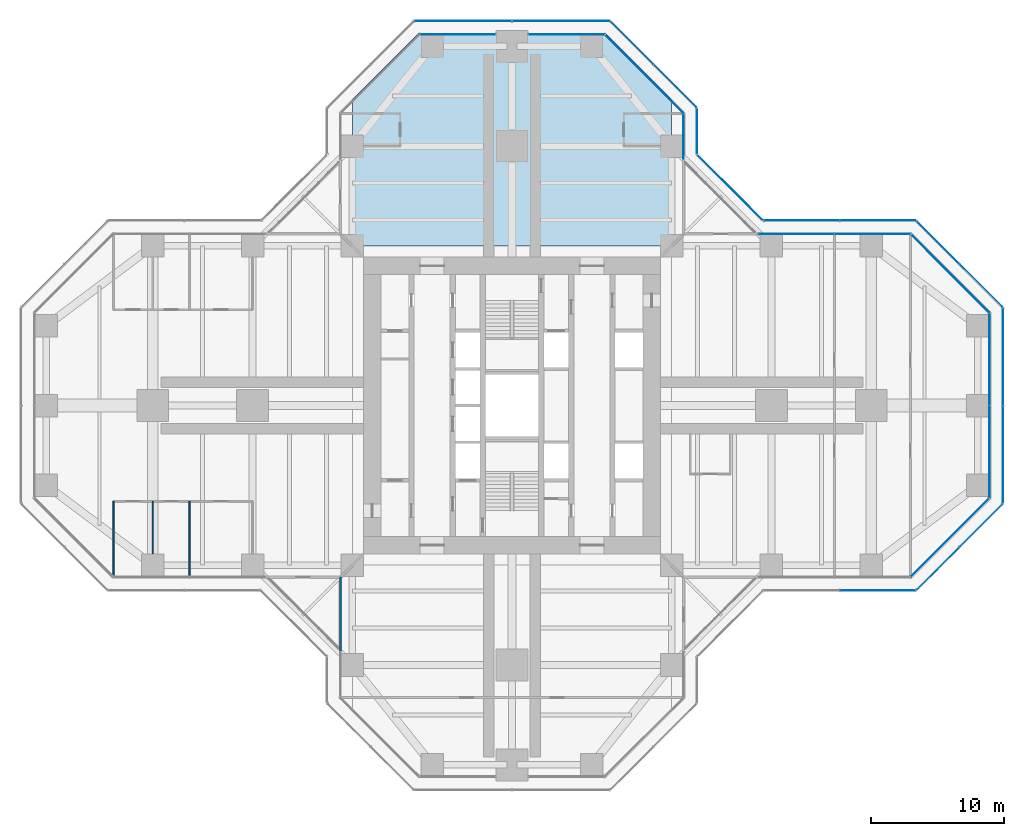
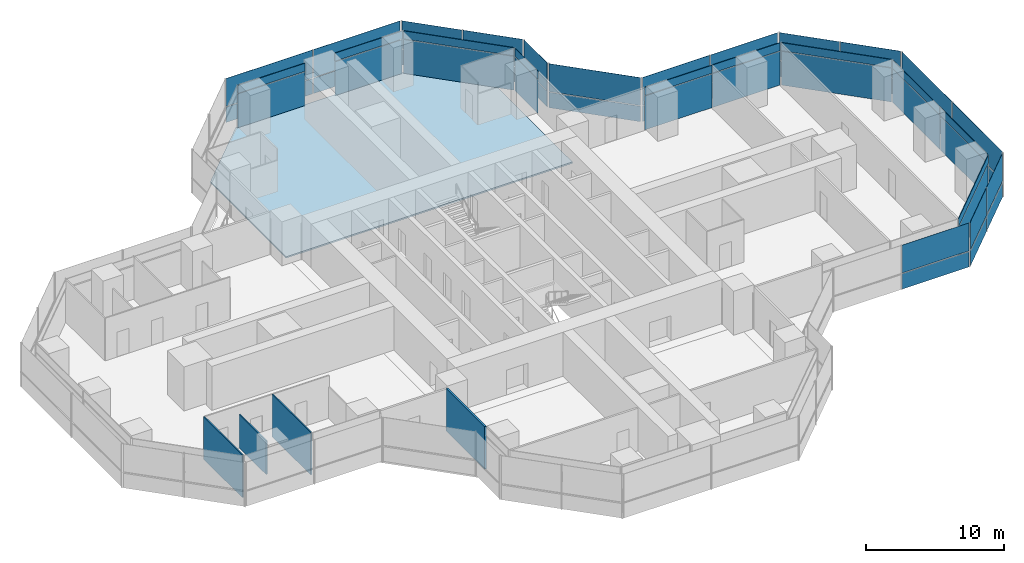
# One storey, part 14 of 20: 50 plates, 4 walls, 1 slab, 17 elements without a shape of their own.
"""IFC4 building model written with IfcOpenShell, lengths in metres."""

from ifc_helpers import new_model, si_unit, direction, frame, frame_2d, origin, origin_2d, place, context, subcontext, project, spatial, polyline, rectangle, outline, extrude, material, layer, layer_set, type_object, element, aggregate, save


model = new_model("IFC4")

# Units and contexts
model_context = context("Model", 3, precision=1e-05, world=origin(), true_north=direction((0.0, 1.0)))
body_context = subcontext(model_context, "Body", "Model", "MODEL_VIEW")
ifc_project = project(units=[si_unit("LENGTHUNIT", "METRE"), si_unit("AREAUNIT", "SQUARE_METRE"), si_unit("VOLUMEUNIT", "CUBIC_METRE"), si_unit("PLANEANGLEUNIT", "RADIAN"), si_unit("MASSUNIT", "GRAM", prefix="KILO")], contexts=[model_context])

# Site, building, storey
site_placement = place(None, origin())
site = spatial("IfcSite", under=ifc_project, at=site_placement, CompositionType="ELEMENT")
building_placement = place(site_placement, origin())
building = spatial("IfcBuilding", under=site, at=building_placement, Name="Mizan Broadcast Tower", CompositionType="ELEMENT")
storey_placement = place(building_placement, frame((0.0, 0.0, 171.0)))
storey = spatial("IfcBuildingStorey", under=building, at=storey_placement, Name="L39", CompositionType="ELEMENT", Elevation=171.0)

# Slab
ifc_material_1 = material(Name="Concrete C32/40", Category="concrete")
ifc_layer_1 = layer(ifc_material_1, 0.1298828125)
ifc_layer_set_1 = layer_set([ifc_layer_1], Name="Concrete C32/40")
slab_type = type_object("IfcSlabType", Name="COMPOSITE DECK SLAB 130", PredefinedType="FLOOR", material=ifc_layer_set_1)
slab_placement = place(storey_placement, frame((0.0, 0.0, -0.1298828125)))
element("IfcSlab", 1, at=slab_placement, inside=storey, type_object=slab_type, Name="Floor slab L39 north arm", PredefinedType="FLOOR", context=body_context, shape_type="SweptSolid", body=[
    extrude(outline(polyline([(-7.0, 28.0), (-12.0, 23.0), (-12.0, 12.0), (12.0, 12.0), (12.0, 23.0), (7.0, 28.0), (-7.0, 28.0)])), origin(), (0.0, 0.0, 1.0), 0.1298828125),
])

# Curtain wall, plate
ifc_material_2 = material(Name="Aluminium framed glazing", Category="aluminium")
curtain_wall_type_1 = type_object("IfcCurtainWallType", Name="INNER SKIN MID ZONE", PredefinedType="USERDEFINED", material=ifc_material_2)
curtain_wall_1_placement = place(storey_placement, origin())
curtain_wall_1 = element("IfcCurtainWall", 2, at=curtain_wall_1_placement, inside=storey, type_object=curtain_wall_type_1, Name="Inner skin mid zone L39 E chamfer", ObjectType="INNER SKIN MID ZONE", PredefinedType="USERDEFINED")
ifc_material_3 = material(Name="Double glazing, clear low-e", Category="glass")
ifc_layer_2 = layer(ifc_material_3, 0.028076171875)
ifc_layer_set_2 = layer_set([ifc_layer_2], Name="Double glazing, clear low-e")
plate_type_1 = type_object("IfcPlateType", Name="INNER SKIN GLAZING UNIT", PredefinedType="CURTAIN_PANEL", material=ifc_layer_set_2)
plate_1_placement = place(storey_placement, frame((32.92919921875, -9.92919921875, 0.0), z_axis=(0.0, 0.0, 1.0), x_axis=(0.707106781187, 0.707106781187, 0.0)))
plate_1 = element("IfcPlate", 3, at=plate_1_placement, type_object=plate_type_1, Name="Inner skin mid zone L39 E chamfer panel 1.1", PredefinedType="CURTAIN_PANEL", context=body_context, shape_type="SweptSolid", body=[
    extrude(rectangle(XDim=8.282470703125, YDim=0.028076171875, at=origin_2d()), origin(), (0.0, 0.0, 1.0), 3.0),
])

# Curtain wall, plates
curtain_wall_2_placement = place(storey_placement, origin())
curtain_wall_2 = element("IfcCurtainWall", 4, at=curtain_wall_2_placement, inside=storey, type_object=curtain_wall_type_1, Name="Inner skin mid zone L39 E end", ObjectType="INNER SKIN MID ZONE", PredefinedType="USERDEFINED")
plate_2_placement = place(storey_placement, frame((35.89990234375, -3.46435546875, 0.0), z_axis=(0.0, 0.0, 1.0), x_axis=(0.0, 1.0, 0.0)))
plate_2 = element("IfcPlate", 5, at=plate_2_placement, type_object=plate_type_1, Name="Inner skin mid zone L39 E end panel 1.1", PredefinedType="CURTAIN_PANEL", context=body_context, shape_type="SweptSolid", body=[
    extrude(rectangle(XDim=6.86865234375, YDim=0.028076171875, at=origin_2d()), origin(), (0.0, 0.0, 1.0), 3.0),
])
plate_3_placement = place(storey_placement, frame((35.89990234375, 3.46435546875, 0.0), z_axis=(0.0, 0.0, 1.0), x_axis=(0.0, 1.0, 0.0)))
plate_3 = element("IfcPlate", 6, at=plate_3_placement, type_object=plate_type_1, Name="Inner skin mid zone L39 E end panel 2.1", PredefinedType="CURTAIN_PANEL", context=body_context, shape_type="SweptSolid", body=[
    extrude(rectangle(XDim=6.86865234375, YDim=0.028076171875, at=origin_2d()), origin(), (0.0, 0.0, 1.0), 3.0),
])

# Curtain wall, plate
curtain_wall_3_placement = place(storey_placement, origin())
curtain_wall_3 = element("IfcCurtainWall", 7, at=curtain_wall_3_placement, inside=storey, type_object=curtain_wall_type_1, Name="Inner skin mid zone L39 E chamfer", ObjectType="INNER SKIN MID ZONE", PredefinedType="USERDEFINED")
plate_4_placement = place(storey_placement, frame((32.92919921875, 9.92919921875, 0.0), z_axis=(0.0, 0.0, 1.0), x_axis=(-0.707106781187, 0.707106781187, 0.0)))
plate_4 = element("IfcPlate", 8, at=plate_4_placement, type_object=plate_type_1, Name="Inner skin mid zone L39 E chamfer panel 1.1", PredefinedType="CURTAIN_PANEL", context=body_context, shape_type="SweptSolid", body=[
    extrude(rectangle(XDim=8.282470703125, YDim=0.028076171875, at=origin_2d()), origin(), (0.0, 0.0, 1.0), 3.0),
])

# Curtain wall, plates
curtain_wall_4_placement = place(storey_placement, origin())
curtain_wall_4 = element("IfcCurtainWall", 9, at=curtain_wall_4_placement, inside=storey, type_object=curtain_wall_type_1, Name="Inner skin mid zone L39 E side", ObjectType="INNER SKIN MID ZONE", PredefinedType="USERDEFINED")
plate_5_placement = place(storey_placement, frame((27.078857421875, 12.89990234375, 0.0), z_axis=(0.0, 0.0, 1.0), x_axis=(-1.0, 0.0, 0.0)))
plate_5 = element("IfcPlate", 10, at=plate_5_placement, type_object=plate_type_1, Name="Inner skin mid zone L39 E side panel 1.1", PredefinedType="CURTAIN_PANEL", context=body_context, shape_type="SweptSolid", body=[
    extrude(rectangle(XDim=5.639404296875, YDim=0.028076171875, at=origin_2d()), origin(), (0.0, 0.0, 1.0), 3.0),
])
plate_6_placement = place(storey_placement, frame((21.379638671875, 12.89990234375, 0.0), z_axis=(0.0, 0.0, 1.0), x_axis=(-1.0, 0.0, 0.0)))
plate_6 = element("IfcPlate", 11, at=plate_6_placement, type_object=plate_type_1, Name="Inner skin mid zone L39 E side panel 2.1", PredefinedType="CURTAIN_PANEL", context=body_context, shape_type="SweptSolid", body=[
    extrude(rectangle(XDim=5.639404296875, YDim=0.028076171875, at=origin_2d()), origin(), (0.0, 0.0, 1.0), 3.0),
])

# Curtain wall, plate
curtain_wall_5_placement = place(storey_placement, origin())
curtain_wall_5 = element("IfcCurtainWall", 12, at=curtain_wall_5_placement, inside=storey, type_object=curtain_wall_type_1, Name="Inner skin mid zone L39 N side", ObjectType="INNER SKIN MID ZONE", PredefinedType="USERDEFINED")
plate_7_placement = place(storey_placement, frame((12.89990234375, 20.229248046875, 0.0), z_axis=(0.0, 0.0, 1.0), x_axis=(0.0, 1.0, 0.0)))
plate_7 = element("IfcPlate", 13, at=plate_7_placement, type_object=plate_type_1, Name="Inner skin mid zone L39 N side panel 1.1", PredefinedType="CURTAIN_PANEL", context=body_context, shape_type="SweptSolid", body=[
    extrude(rectangle(XDim=3.338623046875, YDim=0.028076171875, at=origin_2d()), origin(), (0.0, 0.0, 1.0), 3.0),
])

curtain_wall_6_placement = place(storey_placement, origin())
curtain_wall_6 = element("IfcCurtainWall", 14, at=curtain_wall_6_placement, inside=storey, type_object=curtain_wall_type_1, Name="Inner skin mid zone L39 N chamfer", ObjectType="INNER SKIN MID ZONE", PredefinedType="USERDEFINED")
plate_8_placement = place(storey_placement, frame((9.92919921875, 24.92919921875, 0.0), z_axis=(0.0, 0.0, 1.0), x_axis=(-0.707106781187, 0.707106781187, 0.0)))
plate_8 = element("IfcPlate", 15, at=plate_8_placement, type_object=plate_type_1, Name="Inner skin mid zone L39 N chamfer panel 1.1", PredefinedType="CURTAIN_PANEL", context=body_context, shape_type="SweptSolid", body=[
    extrude(rectangle(XDim=8.282470703125, YDim=0.028076171875, at=origin_2d()), origin(), (0.0, 0.0, 1.0), 3.0),
])

curtain_wall_7_placement = place(storey_placement, origin())
curtain_wall_7 = element("IfcCurtainWall", 16, at=curtain_wall_7_placement, inside=storey, type_object=curtain_wall_type_1, Name="Inner skin mid zone L39 N end", ObjectType="INNER SKIN MID ZONE", PredefinedType="USERDEFINED")
plate_9_placement = place(storey_placement, frame((4.079345703125, 27.89990234375, 0.0), z_axis=(0.0, 0.0, 1.0), x_axis=(-1.0, 0.0, 0.0)))
plate_9 = element("IfcPlate", 17, at=plate_9_placement, type_object=plate_type_1, Name="Inner skin mid zone L39 N end panel 1.1", PredefinedType="CURTAIN_PANEL", context=body_context, shape_type="SweptSolid", body=[
    extrude(rectangle(XDim=5.638671875, YDim=0.028076171875, at=origin_2d()), origin(), (0.0, 0.0, 1.0), 3.0),
])

curtain_wall_8_placement = place(storey_placement, origin())
curtain_wall_8 = element("IfcCurtainWall", 18, at=curtain_wall_8_placement, inside=storey, type_object=curtain_wall_type_1, Name="Inner skin mid zone L39 N end", ObjectType="INNER SKIN MID ZONE", PredefinedType="USERDEFINED")
plate_10_placement = place(storey_placement, frame((-4.079345703125, 27.89990234375, 0.0), z_axis=(0.0, 0.0, 1.0), x_axis=(-1.0, 0.0, 0.0)))
plate_10 = element("IfcPlate", 19, at=plate_10_placement, type_object=plate_type_1, Name="Inner skin mid zone L39 N end panel 1.1", PredefinedType="CURTAIN_PANEL", context=body_context, shape_type="SweptSolid", body=[
    extrude(rectangle(XDim=5.638671875, YDim=0.028076171875, at=origin_2d()), origin(), (0.0, 0.0, 1.0), 3.0),
])

# Plate
ifc_material_4 = material(Name="Insulated aluminium spandrel panel, pale anodised", Category="aluminium")
ifc_layer_3 = layer(ifc_material_4, 0.050048828125)
ifc_layer_set_3 = layer_set([ifc_layer_3], Name="Insulated aluminium spandrel panel, pale anodised")
plate_type_2 = type_object("IfcPlateType", Name="INNER SKIN SPANDREL PANEL", PredefinedType="CURTAIN_PANEL", material=ifc_layer_set_3)
plate_11_placement = place(storey_placement, frame((32.92919921875, -9.92919921875, 3.06005859375), z_axis=(0.0, 0.0, 1.0), x_axis=(0.707106781187, 0.707106781187, 0.0)))
plate_11 = element("IfcPlate", 20, at=plate_11_placement, type_object=plate_type_2, Name="Inner skin mid zone L39 E chamfer panel 1.2", PredefinedType="CURTAIN_PANEL", context=body_context, shape_type="SweptSolid", body=[
    extrude(rectangle(XDim=8.282470703125, YDim=0.050048828125, at=origin_2d()), origin(), (0.0, 0.0, 1.0), 0.7099609375),
])

aggregate(curtain_wall_1, [plate_1, plate_11])

plate_12_placement = place(storey_placement, frame((35.89990234375, -3.46435546875, 3.06005859375), z_axis=(0.0, 0.0, 1.0), x_axis=(0.0, 1.0, 0.0)))
plate_12 = element("IfcPlate", 21, at=plate_12_placement, type_object=plate_type_2, Name="Inner skin mid zone L39 E end panel 1.2", PredefinedType="CURTAIN_PANEL", context=body_context, shape_type="SweptSolid", body=[
    extrude(rectangle(XDim=6.86865234375, YDim=0.050048828125, at=origin_2d()), origin(), (0.0, 0.0, 1.0), 0.7099609375),
])

plate_13_placement = place(storey_placement, frame((35.89990234375, 3.46435546875, 3.06005859375), z_axis=(0.0, 0.0, 1.0), x_axis=(0.0, 1.0, 0.0)))
plate_13 = element("IfcPlate", 22, at=plate_13_placement, type_object=plate_type_2, Name="Inner skin mid zone L39 E end panel 2.2", PredefinedType="CURTAIN_PANEL", context=body_context, shape_type="SweptSolid", body=[
    extrude(rectangle(XDim=6.86865234375, YDim=0.050048828125, at=origin_2d()), origin(), (0.0, 0.0, 1.0), 0.7099609375),
])

aggregate(curtain_wall_2, [plate_2, plate_12, plate_3, plate_13])

plate_14_placement = place(storey_placement, frame((32.92919921875, 9.92919921875, 3.06005859375), z_axis=(0.0, 0.0, 1.0), x_axis=(-0.707106781187, 0.707106781187, 0.0)))
plate_14 = element("IfcPlate", 23, at=plate_14_placement, type_object=plate_type_2, Name="Inner skin mid zone L39 E chamfer panel 1.2", PredefinedType="CURTAIN_PANEL", context=body_context, shape_type="SweptSolid", body=[
    extrude(rectangle(XDim=8.282470703125, YDim=0.050048828125, at=origin_2d()), origin(), (0.0, 0.0, 1.0), 0.7099609375),
])

aggregate(curtain_wall_3, [plate_4, plate_14])

plate_15_placement = place(storey_placement, frame((27.078857421875, 12.89990234375, 3.06005859375), z_axis=(0.0, 0.0, 1.0), x_axis=(-1.0, 0.0, 0.0)))
plate_15 = element("IfcPlate", 24, at=plate_15_placement, type_object=plate_type_2, Name="Inner skin mid zone L39 E side panel 1.2", PredefinedType="CURTAIN_PANEL", context=body_context, shape_type="SweptSolid", body=[
    extrude(rectangle(XDim=5.639404296875, YDim=0.050048828125, at=origin_2d()), origin(), (0.0, 0.0, 1.0), 0.7099609375),
])

plate_16_placement = place(storey_placement, frame((21.379638671875, 12.89990234375, 3.06005859375), z_axis=(0.0, 0.0, 1.0), x_axis=(-1.0, 0.0, 0.0)))
plate_16 = element("IfcPlate", 25, at=plate_16_placement, type_object=plate_type_2, Name="Inner skin mid zone L39 E side panel 2.2", PredefinedType="CURTAIN_PANEL", context=body_context, shape_type="SweptSolid", body=[
    extrude(rectangle(XDim=5.639404296875, YDim=0.050048828125, at=origin_2d()), origin(), (0.0, 0.0, 1.0), 0.7099609375),
])

aggregate(curtain_wall_4, [plate_5, plate_15, plate_6, plate_16])

plate_17_placement = place(storey_placement, frame((12.89990234375, 20.229248046875, 3.06005859375), z_axis=(0.0, 0.0, 1.0), x_axis=(0.0, 1.0, 0.0)))
plate_17 = element("IfcPlate", 26, at=plate_17_placement, type_object=plate_type_2, Name="Inner skin mid zone L39 N side panel 1.2", PredefinedType="CURTAIN_PANEL", context=body_context, shape_type="SweptSolid", body=[
    extrude(rectangle(XDim=3.338623046875, YDim=0.050048828125, at=origin_2d()), origin(), (0.0, 0.0, 1.0), 0.7099609375),
])

aggregate(curtain_wall_5, [plate_7, plate_17])

plate_18_placement = place(storey_placement, frame((9.92919921875, 24.92919921875, 3.06005859375), z_axis=(0.0, 0.0, 1.0), x_axis=(-0.707106781187, 0.707106781187, 0.0)))
plate_18 = element("IfcPlate", 27, at=plate_18_placement, type_object=plate_type_2, Name="Inner skin mid zone L39 N chamfer panel 1.2", PredefinedType="CURTAIN_PANEL", context=body_context, shape_type="SweptSolid", body=[
    extrude(rectangle(XDim=8.282470703125, YDim=0.050048828125, at=origin_2d()), origin(), (0.0, 0.0, 1.0), 0.7099609375),
])

aggregate(curtain_wall_6, [plate_8, plate_18])

plate_19_placement = place(storey_placement, frame((4.079345703125, 27.89990234375, 3.06005859375), z_axis=(0.0, 0.0, 1.0), x_axis=(-1.0, 0.0, 0.0)))
plate_19 = element("IfcPlate", 28, at=plate_19_placement, type_object=plate_type_2, Name="Inner skin mid zone L39 N end panel 1.2", PredefinedType="CURTAIN_PANEL", context=body_context, shape_type="SweptSolid", body=[
    extrude(rectangle(XDim=5.638671875, YDim=0.050048828125, at=origin_2d()), origin(), (0.0, 0.0, 1.0), 0.7099609375),
])

aggregate(curtain_wall_7, [plate_9, plate_19])

plate_20_placement = place(storey_placement, frame((-4.079345703125, 27.89990234375, 3.06005859375), z_axis=(0.0, 0.0, 1.0), x_axis=(-1.0, 0.0, 0.0)))
plate_20 = element("IfcPlate", 29, at=plate_20_placement, type_object=plate_type_2, Name="Inner skin mid zone L39 N end panel 1.2", PredefinedType="CURTAIN_PANEL", context=body_context, shape_type="SweptSolid", body=[
    extrude(rectangle(XDim=5.638671875, YDim=0.050048828125, at=origin_2d()), origin(), (0.0, 0.0, 1.0), 0.7099609375),
])

aggregate(curtain_wall_8, [plate_10, plate_20])

# Curtain wall, plates
ifc_material_5 = material(Name="Aluminium framed glazing", Category="aluminium")
curtain_wall_type_2 = type_object("IfcCurtainWallType", Name="OUTER SKIN", PredefinedType="USERDEFINED", material=ifc_material_5)
curtain_wall_9_placement = place(storey_placement, origin())
curtain_wall_9 = element("IfcCurtainWall", 30, at=curtain_wall_9_placement, inside=storey, type_object=curtain_wall_type_2, Name="Outer skin L39 E chamfer", ObjectType="OUTER SKIN", PredefinedType="USERDEFINED")
ifc_material_6 = material(Name="Laminated clear glass", Category="glass")
ifc_layer_4 = layer(ifc_material_6, 0.02001953125)
ifc_layer_set_4 = layer_set([ifc_layer_4], Name="Laminated clear glass")
plate_type_3 = type_object("IfcPlateType", Name="OUTER SKIN CLEAR GLASS", PredefinedType="CURTAIN_PANEL", material=ifc_layer_set_4)
plate_21_placement = place(storey_placement, frame((32.018798828125, -12.254150390625, 0.0), z_axis=(0.0, 0.0, 1.0), x_axis=(0.707106781187, 0.707106781187, 0.0)))
plate_21 = element("IfcPlate", 31, at=plate_21_placement, type_object=plate_type_3, Name="Outer skin L39 E chamfer panel 1.1", PredefinedType="CURTAIN_PANEL", context=body_context, shape_type="SweptSolid", body=[
    extrude(rectangle(XDim=4.495361328125, YDim=0.02001953125, at=origin_2d()), origin(), (0.0, 0.0, 1.0), 1.3701171875),
])
plate_22_placement = place(storey_placement, frame((32.018798828125, -12.254150390625, 1.43017578125), z_axis=(0.0, 0.0, 1.0), x_axis=(0.707106781187, 0.707106781187, 0.0)))
plate_22 = element("IfcPlate", 32, at=plate_22_placement, type_object=plate_type_3, Name="Outer skin L39 E chamfer panel 1.2", PredefinedType="CURTAIN_PANEL", context=body_context, shape_type="SweptSolid", body=[
    extrude(rectangle(XDim=4.495361328125, YDim=0.02001953125, at=origin_2d()), origin(), (0.0, 0.0, 1.0), 2.469970703125),
])

curtain_wall_10_placement = place(storey_placement, origin())
curtain_wall_10 = element("IfcCurtainWall", 33, at=curtain_wall_10_placement, inside=storey, type_object=curtain_wall_type_2, Name="Outer skin L39 E end", ObjectType="OUTER SKIN", PredefinedType="USERDEFINED")
plate_23_placement = place(storey_placement, frame((36.89990234375, -3.66650390625, 0.0), z_axis=(0.0, 0.0, 1.0), x_axis=(0.0, 1.0, 0.0)))
plate_23 = element("IfcPlate", 34, at=plate_23_placement, type_object=plate_type_3, Name="Outer skin L39 E end panel 1.1", PredefinedType="CURTAIN_PANEL", context=body_context, shape_type="SweptSolid", body=[
    extrude(rectangle(XDim=7.252685546875, YDim=0.02001953125, at=origin_2d()), origin(), (0.0, 0.0, 1.0), 1.3701171875),
])
plate_24_placement = place(storey_placement, frame((36.89990234375, -3.66650390625, 1.43017578125), z_axis=(0.0, 0.0, 1.0), x_axis=(0.0, 1.0, 0.0)))
plate_24 = element("IfcPlate", 35, at=plate_24_placement, type_object=plate_type_3, Name="Outer skin L39 E end panel 1.2", PredefinedType="CURTAIN_PANEL", context=body_context, shape_type="SweptSolid", body=[
    extrude(rectangle(XDim=7.252685546875, YDim=0.02001953125, at=origin_2d()), origin(), (0.0, 0.0, 1.0), 2.469970703125),
])

curtain_wall_11_placement = place(storey_placement, origin())
curtain_wall_11 = element("IfcCurtainWall", 36, at=curtain_wall_11_placement, inside=storey, type_object=curtain_wall_type_2, Name="Outer skin L39 E chamfer", ObjectType="OUTER SKIN", PredefinedType="USERDEFINED")
plate_25_placement = place(storey_placement, frame((35.254150390625, 9.018798828125, 0.0), z_axis=(0.0, 0.0, 1.0), x_axis=(-0.707106781187, 0.707106781187, 0.0)))
plate_25 = element("IfcPlate", 37, at=plate_25_placement, type_object=plate_type_3, Name="Outer skin L39 E chamfer panel 1.1", PredefinedType="CURTAIN_PANEL", context=body_context, shape_type="SweptSolid", body=[
    extrude(rectangle(XDim=4.495361328125, YDim=0.02001953125, at=origin_2d()), origin(), (0.0, 0.0, 1.0), 1.3701171875),
])
plate_26_placement = place(storey_placement, frame((35.254150390625, 9.018798828125, 1.43017578125), z_axis=(0.0, 0.0, 1.0), x_axis=(-0.707106781187, 0.707106781187, 0.0)))
plate_26 = element("IfcPlate", 38, at=plate_26_placement, type_object=plate_type_3, Name="Outer skin L39 E chamfer panel 1.2", PredefinedType="CURTAIN_PANEL", context=body_context, shape_type="SweptSolid", body=[
    extrude(rectangle(XDim=4.495361328125, YDim=0.02001953125, at=origin_2d()), origin(), (0.0, 0.0, 1.0), 2.469970703125),
])

curtain_wall_12_placement = place(storey_placement, origin())
curtain_wall_12 = element("IfcCurtainWall", 39, at=curtain_wall_12_placement, inside=storey, type_object=curtain_wall_type_2, Name="Outer skin L39 E side", ObjectType="OUTER SKIN", PredefinedType="USERDEFINED")
plate_27_placement = place(storey_placement, frame((27.477783203125, 13.89990234375, 0.0), z_axis=(0.0, 0.0, 1.0), x_axis=(-1.0, 0.0, 0.0)))
plate_27 = element("IfcPlate", 40, at=plate_27_placement, type_object=plate_type_3, Name="Outer skin L39 E side panel 1.1", PredefinedType="CURTAIN_PANEL", context=body_context, shape_type="SweptSolid", body=[
    extrude(rectangle(XDim=5.6298828125, YDim=0.02001953125, at=origin_2d()), origin(), (0.0, 0.0, 1.0), 1.3701171875),
])
plate_28_placement = place(storey_placement, frame((27.477783203125, 13.89990234375, 1.43017578125), z_axis=(0.0, 0.0, 1.0), x_axis=(-1.0, 0.0, 0.0)))
plate_28 = element("IfcPlate", 41, at=plate_28_placement, type_object=plate_type_3, Name="Outer skin L39 E side panel 1.2", PredefinedType="CURTAIN_PANEL", context=body_context, shape_type="SweptSolid", body=[
    extrude(rectangle(XDim=5.6298828125, YDim=0.02001953125, at=origin_2d()), origin(), (0.0, 0.0, 1.0), 2.469970703125),
])
plate_29_placement = place(storey_placement, frame((21.767822265625, 13.89990234375, 0.0), z_axis=(0.0, 0.0, 1.0), x_axis=(-1.0, 0.0, 0.0)))
plate_29 = element("IfcPlate", 42, at=plate_29_placement, type_object=plate_type_3, Name="Outer skin L39 E side panel 2.1", PredefinedType="CURTAIN_PANEL", context=body_context, shape_type="SweptSolid", body=[
    extrude(rectangle(XDim=5.6298828125, YDim=0.02001953125, at=origin_2d()), origin(), (0.0, 0.0, 1.0), 1.3701171875),
])
plate_30_placement = place(storey_placement, frame((21.767822265625, 13.89990234375, 1.43017578125), z_axis=(0.0, 0.0, 1.0), x_axis=(-1.0, 0.0, 0.0)))
plate_30 = element("IfcPlate", 43, at=plate_30_placement, type_object=plate_type_3, Name="Outer skin L39 E side panel 2.2", PredefinedType="CURTAIN_PANEL", context=body_context, shape_type="SweptSolid", body=[
    extrude(rectangle(XDim=5.6298828125, YDim=0.02001953125, at=origin_2d()), origin(), (0.0, 0.0, 1.0), 2.469970703125),
])
aggregate(curtain_wall_12, [plate_27, plate_28, plate_29, plate_30])

curtain_wall_13_placement = place(storey_placement, origin())
curtain_wall_13 = element("IfcCurtainWall", 44, at=curtain_wall_13_placement, inside=storey, type_object=curtain_wall_type_2, Name="Outer skin L39 E chamfer", ObjectType="OUTER SKIN", PredefinedType="USERDEFINED")
plate_31_placement = place(storey_placement, frame((16.386474609375, 16.386474609375, 0.0), z_axis=(0.0, 0.0, 1.0), x_axis=(-0.707106781187, 0.707106781187, 0.0)))
plate_31 = element("IfcPlate", 45, at=plate_31_placement, type_object=plate_type_3, Name="Outer skin L39 E chamfer panel 1.1", PredefinedType="CURTAIN_PANEL", context=body_context, shape_type="SweptSolid", body=[
    extrude(rectangle(XDim=6.87255859375, YDim=0.02001953125, at=origin_2d()), origin(), (0.0, 0.0, 1.0), 1.3701171875),
])
plate_32_placement = place(storey_placement, frame((16.386474609375, 16.386474609375, 1.43017578125), z_axis=(0.0, 0.0, 1.0), x_axis=(-0.707106781187, 0.707106781187, 0.0)))
plate_32 = element("IfcPlate", 46, at=plate_32_placement, type_object=plate_type_3, Name="Outer skin L39 E chamfer panel 1.2", PredefinedType="CURTAIN_PANEL", context=body_context, shape_type="SweptSolid", body=[
    extrude(rectangle(XDim=6.87255859375, YDim=0.02001953125, at=origin_2d()), origin(), (0.0, 0.0, 1.0), 2.469970703125),
])
aggregate(curtain_wall_13, [plate_31, plate_32])

curtain_wall_14_placement = place(storey_placement, origin())
curtain_wall_14 = element("IfcCurtainWall", 47, at=curtain_wall_14_placement, inside=storey, type_object=curtain_wall_type_2, Name="Outer skin L39 N side", ObjectType="OUTER SKIN", PredefinedType="USERDEFINED")
plate_33_placement = place(storey_placement, frame((13.89990234375, 20.622802734375, 0.0), z_axis=(0.0, 0.0, 1.0), x_axis=(0.0, 1.0, 0.0)))
plate_33 = element("IfcPlate", 48, at=plate_33_placement, type_object=plate_type_3, Name="Outer skin L39 N side panel 1.1", PredefinedType="CURTAIN_PANEL", context=body_context, shape_type="SweptSolid", body=[
    extrude(rectangle(XDim=3.340087890625, YDim=0.02001953125, at=origin_2d()), origin(), (0.0, 0.0, 1.0), 1.3701171875),
])
plate_34_placement = place(storey_placement, frame((13.89990234375, 20.622802734375, 1.43017578125), z_axis=(0.0, 0.0, 1.0), x_axis=(0.0, 1.0, 0.0)))
plate_34 = element("IfcPlate", 49, at=plate_34_placement, type_object=plate_type_3, Name="Outer skin L39 N side panel 1.2", PredefinedType="CURTAIN_PANEL", context=body_context, shape_type="SweptSolid", body=[
    extrude(rectangle(XDim=3.340087890625, YDim=0.02001953125, at=origin_2d()), origin(), (0.0, 0.0, 1.0), 2.469970703125),
])
aggregate(curtain_wall_14, [plate_33, plate_34])

curtain_wall_15_placement = place(storey_placement, origin())
curtain_wall_15 = element("IfcCurtainWall", 50, at=curtain_wall_15_placement, inside=storey, type_object=curtain_wall_type_2, Name="Outer skin L39 N chamfer", ObjectType="OUTER SKIN", PredefinedType="USERDEFINED")
plate_35_placement = place(storey_placement, frame((12.254150390625, 24.018798828125, 0.0), z_axis=(0.0, 0.0, 1.0), x_axis=(-0.707106781187, 0.707106781187, 0.0)))
plate_35 = element("IfcPlate", 51, at=plate_35_placement, type_object=plate_type_3, Name="Outer skin L39 N chamfer panel 1.1", PredefinedType="CURTAIN_PANEL", context=body_context, shape_type="SweptSolid", body=[
    extrude(rectangle(XDim=4.495361328125, YDim=0.02001953125, at=origin_2d()), origin(), (0.0, 0.0, 1.0), 1.3701171875),
])
plate_36_placement = place(storey_placement, frame((12.254150390625, 24.018798828125, 1.43017578125), z_axis=(0.0, 0.0, 1.0), x_axis=(-0.707106781187, 0.707106781187, 0.0)))
plate_36 = element("IfcPlate", 52, at=plate_36_placement, type_object=plate_type_3, Name="Outer skin L39 N chamfer panel 1.2", PredefinedType="CURTAIN_PANEL", context=body_context, shape_type="SweptSolid", body=[
    extrude(rectangle(XDim=4.495361328125, YDim=0.02001953125, at=origin_2d()), origin(), (0.0, 0.0, 1.0), 2.469970703125),
])

curtain_wall_16_placement = place(storey_placement, origin())
curtain_wall_16 = element("IfcCurtainWall", 53, at=curtain_wall_16_placement, inside=storey, type_object=curtain_wall_type_2, Name="Outer skin L39 N end", ObjectType="OUTER SKIN", PredefinedType="USERDEFINED")
plate_37_placement = place(storey_placement, frame((3.66650390625, 28.89990234375, 0.0), z_axis=(0.0, 0.0, 1.0), x_axis=(-1.0, 0.0, 0.0)))
plate_37 = element("IfcPlate", 54, at=plate_37_placement, type_object=plate_type_3, Name="Outer skin L39 N end panel 1.1", PredefinedType="CURTAIN_PANEL", context=body_context, shape_type="SweptSolid", body=[
    extrude(rectangle(XDim=7.252685546875, YDim=0.02001953125, at=origin_2d()), origin(), (0.0, 0.0, 1.0), 1.3701171875),
])
plate_38_placement = place(storey_placement, frame((3.66650390625, 28.89990234375, 1.43017578125), z_axis=(0.0, 0.0, 1.0), x_axis=(-1.0, 0.0, 0.0)))
plate_38 = element("IfcPlate", 55, at=plate_38_placement, type_object=plate_type_3, Name="Outer skin L39 N end panel 1.2", PredefinedType="CURTAIN_PANEL", context=body_context, shape_type="SweptSolid", body=[
    extrude(rectangle(XDim=7.252685546875, YDim=0.02001953125, at=origin_2d()), origin(), (0.0, 0.0, 1.0), 2.469970703125),
])
plate_39_placement = place(storey_placement, frame((-3.66650390625, 28.89990234375, 0.0), z_axis=(0.0, 0.0, 1.0), x_axis=(-1.0, 0.0, 0.0)))
plate_39 = element("IfcPlate", 56, at=plate_39_placement, type_object=plate_type_3, Name="Outer skin L39 N end panel 2.1", PredefinedType="CURTAIN_PANEL", context=body_context, shape_type="SweptSolid", body=[
    extrude(rectangle(XDim=7.252685546875, YDim=0.02001953125, at=origin_2d()), origin(), (0.0, 0.0, 1.0), 1.3701171875),
])
plate_40_placement = place(storey_placement, frame((-3.66650390625, 28.89990234375, 1.43017578125), z_axis=(0.0, 0.0, 1.0), x_axis=(-1.0, 0.0, 0.0)))
plate_40 = element("IfcPlate", 57, at=plate_40_placement, type_object=plate_type_3, Name="Outer skin L39 N end panel 2.2", PredefinedType="CURTAIN_PANEL", context=body_context, shape_type="SweptSolid", body=[
    extrude(rectangle(XDim=7.252685546875, YDim=0.02001953125, at=origin_2d()), origin(), (0.0, 0.0, 1.0), 2.469970703125),
])
aggregate(curtain_wall_16, [plate_37, plate_38, plate_39, plate_40])

# Plate
ifc_material_7 = material(Name="Perforated aluminium, pale anodised", Category="aluminium")
ifc_layer_5 = layer(ifc_material_7, 0.011962890625)
ifc_layer_set_5 = layer_set([ifc_layer_5], Name="Perforated aluminium, pale anodised")
plate_type_4 = type_object("IfcPlateType", Name="OUTER SKIN PERFORATED SCREEN", PredefinedType="USERDEFINED", material=ifc_layer_set_5)
plate_41_placement = place(storey_placement, frame((35.254150390625, -9.018798828125, 0.0), z_axis=(0.0, 0.0, 1.0), x_axis=(0.707106781187, 0.707106781187, 0.0)))
plate_41 = element("IfcPlate", 58, at=plate_41_placement, type_object=plate_type_4, Name="Outer skin L39 E chamfer panel 2.1", ObjectType="SCREEN", PredefinedType="USERDEFINED", context=body_context, shape_type="SweptSolid", body=[
    extrude(rectangle(XDim=4.495361328125, YDim=0.011962890625, at=origin_2d()), origin(), (0.0, 0.0, 1.0), 1.3701171875),
])

plate_42_placement = place(storey_placement, frame((35.254150390625, -9.018798828125, 1.43017578125), z_axis=(0.0, 0.0, 1.0), x_axis=(0.707106781187, 0.707106781187, 0.0)))
plate_42 = element("IfcPlate", 59, at=plate_42_placement, type_object=plate_type_4, Name="Outer skin L39 E chamfer panel 2.2", ObjectType="SCREEN", PredefinedType="USERDEFINED", context=body_context, shape_type="SweptSolid", body=[
    extrude(rectangle(XDim=4.495361328125, YDim=0.011962890625, at=origin_2d()), origin(), (0.0, 0.0, 1.0), 2.469970703125),
])

aggregate(curtain_wall_9, [plate_21, plate_22, plate_41, plate_42])

plate_43_placement = place(storey_placement, frame((36.89990234375, 3.66650390625, 0.0), z_axis=(0.0, 0.0, 1.0), x_axis=(0.0, 1.0, 0.0)))
plate_43 = element("IfcPlate", 60, at=plate_43_placement, type_object=plate_type_4, Name="Outer skin L39 E end panel 2.1", ObjectType="SCREEN", PredefinedType="USERDEFINED", context=body_context, shape_type="SweptSolid", body=[
    extrude(rectangle(XDim=7.252685546875, YDim=0.011962890625, at=origin_2d()), origin(), (0.0, 0.0, 1.0), 1.3701171875),
])

plate_44_placement = place(storey_placement, frame((36.89990234375, 3.66650390625, 1.43017578125), z_axis=(0.0, 0.0, 1.0), x_axis=(0.0, 1.0, 0.0)))
plate_44 = element("IfcPlate", 61, at=plate_44_placement, type_object=plate_type_4, Name="Outer skin L39 E end panel 2.2", ObjectType="SCREEN", PredefinedType="USERDEFINED", context=body_context, shape_type="SweptSolid", body=[
    extrude(rectangle(XDim=7.252685546875, YDim=0.011962890625, at=origin_2d()), origin(), (0.0, 0.0, 1.0), 2.469970703125),
])

aggregate(curtain_wall_10, [plate_23, plate_24, plate_43, plate_44])

plate_45_placement = place(storey_placement, frame((32.018798828125, 12.254150390625, 0.0), z_axis=(0.0, 0.0, 1.0), x_axis=(-0.707106781187, 0.707106781187, 0.0)))
plate_45 = element("IfcPlate", 62, at=plate_45_placement, type_object=plate_type_4, Name="Outer skin L39 E chamfer panel 2.1", ObjectType="SCREEN", PredefinedType="USERDEFINED", context=body_context, shape_type="SweptSolid", body=[
    extrude(rectangle(XDim=4.495361328125, YDim=0.011962890625, at=origin_2d()), origin(), (0.0, 0.0, 1.0), 1.3701171875),
])

plate_46_placement = place(storey_placement, frame((32.018798828125, 12.254150390625, 1.43017578125), z_axis=(0.0, 0.0, 1.0), x_axis=(-0.707106781187, 0.707106781187, 0.0)))
plate_46 = element("IfcPlate", 63, at=plate_46_placement, type_object=plate_type_4, Name="Outer skin L39 E chamfer panel 2.2", ObjectType="SCREEN", PredefinedType="USERDEFINED", context=body_context, shape_type="SweptSolid", body=[
    extrude(rectangle(XDim=4.495361328125, YDim=0.011962890625, at=origin_2d()), origin(), (0.0, 0.0, 1.0), 2.469970703125),
])

aggregate(curtain_wall_11, [plate_25, plate_26, plate_45, plate_46])

plate_47_placement = place(storey_placement, frame((9.018798828125, 27.254150390625, 0.0), z_axis=(0.0, 0.0, 1.0), x_axis=(-0.707106781187, 0.707106781187, 0.0)))
plate_47 = element("IfcPlate", 64, at=plate_47_placement, type_object=plate_type_4, Name="Outer skin L39 N chamfer panel 2.1", ObjectType="SCREEN", PredefinedType="USERDEFINED", context=body_context, shape_type="SweptSolid", body=[
    extrude(rectangle(XDim=4.495361328125, YDim=0.011962890625, at=origin_2d()), origin(), (0.0, 0.0, 1.0), 1.3701171875),
])

plate_48_placement = place(storey_placement, frame((9.018798828125, 27.254150390625, 1.43017578125), z_axis=(0.0, 0.0, 1.0), x_axis=(-0.707106781187, 0.707106781187, 0.0)))
plate_48 = element("IfcPlate", 65, at=plate_48_placement, type_object=plate_type_4, Name="Outer skin L39 N chamfer panel 2.2", ObjectType="SCREEN", PredefinedType="USERDEFINED", context=body_context, shape_type="SweptSolid", body=[
    extrude(rectangle(XDim=4.495361328125, YDim=0.011962890625, at=origin_2d()), origin(), (0.0, 0.0, 1.0), 2.469970703125),
])

aggregate(curtain_wall_15, [plate_35, plate_36, plate_47, plate_48])

# Curtain wall, plates
curtain_wall_17_placement = place(storey_placement, origin())
curtain_wall_17 = element("IfcCurtainWall", 66, at=curtain_wall_17_placement, inside=storey, type_object=curtain_wall_type_2, Name="Outer skin L39 E side", ObjectType="OUTER SKIN", PredefinedType="USERDEFINED")
plate_49_placement = place(storey_placement, frame((27.477783203125, -13.89990234375, 0.0), z_axis=(0.0, 0.0, 1.0), x_axis=(1.0, 0.0, 0.0)))
plate_49 = element("IfcPlate", 67, at=plate_49_placement, type_object=plate_type_4, Name="Outer skin L39 E side panel 2.1", ObjectType="SCREEN", PredefinedType="USERDEFINED", context=body_context, shape_type="SweptSolid", body=[
    extrude(rectangle(XDim=5.6298828125, YDim=0.011962890625, at=origin_2d()), origin(), (0.0, 0.0, 1.0), 1.3701171875),
])
plate_50_placement = place(storey_placement, frame((27.477783203125, -13.89990234375, 1.43017578125), z_axis=(0.0, 0.0, 1.0), x_axis=(1.0, 0.0, 0.0)))
plate_50 = element("IfcPlate", 68, at=plate_50_placement, type_object=plate_type_4, Name="Outer skin L39 E side panel 2.2", ObjectType="SCREEN", PredefinedType="USERDEFINED", context=body_context, shape_type="SweptSolid", body=[
    extrude(rectangle(XDim=5.6298828125, YDim=0.011962890625, at=origin_2d()), origin(), (0.0, 0.0, 1.0), 2.469970703125),
])
aggregate(curtain_wall_17, [plate_49, plate_50])

# Walls
ifc_material_8 = material(Name="Aluminium framed glazed screen", Category="aluminium")
ifc_layer_6 = layer(ifc_material_8, 0.159912109375)
ifc_layer_set_6 = layer_set([ifc_layer_6], Name="Aluminium framed glazed screen")
wall_type_1 = type_object("IfcWallType", Name="GLAZED SCREEN WALL 160", PredefinedType="SOLIDWALL", material=ifc_layer_set_6)
wall_1_placement = place(storey_placement, frame((-12.89990234375, -12.89990234375, 0.0), z_axis=(0.0, 0.0, 1.0), x_axis=(0.0, -1.0, 0.0)))
element("IfcWall", 69, at=wall_1_placement, inside=storey, type_object=wall_type_1, Name="Winter garden screen L39 S", PredefinedType="SOLIDWALL", context=body_context, shape_type="SweptSolid", body=[
    extrude(rectangle(XDim=5.60009765625, YDim=0.159912109375, at=frame_2d((2.800048828125, 0.0))), origin(), (0.0, 0.0, 1.0), 3.77001953125),
])
ifc_material_9 = material(Name="Glazed aluminium partition on aluminium track", Category="aluminium")
ifc_layer_7 = layer(ifc_material_9, 0.10009765625)
ifc_layer_set_7 = layer_set([ifc_layer_7], Name="Glazed aluminium partition on aluminium track")
wall_type_2 = type_object("IfcWallType", Name="PARTITION GLAZED OFFICE FRONT 100", PredefinedType="PARTITIONING", material=ifc_layer_set_7)
wall_2_placement = place(storey_placement, frame((-24.22900390625, -7.199951171875, 0.0), z_axis=(0.0, 0.0, 1.0), x_axis=(0.0, -1.0, 0.0)))
element("IfcWall", 70, at=wall_2_placement, inside=storey, type_object=wall_type_2, Name="Glazed office front PT/WQP2423", PredefinedType="PARTITIONING", context=body_context, shape_type="SweptSolid", body=[
    extrude(rectangle(XDim=5.6201171875, YDim=0.10009765625, at=frame_2d((2.81005859375, 0.0))), origin(), (0.0, 0.0, 1.0), 3.77001953125),
])
wall_3_placement = place(storey_placement, frame((-27.0, -7.199951171875, 0.0), z_axis=(0.0, 0.0, 1.0), x_axis=(0.0, -1.0, 0.0)))
element("IfcWall", 71, at=wall_3_placement, inside=storey, type_object=wall_type_2, Name="Glazed office front PT/WQP2700", PredefinedType="PARTITIONING", context=body_context, shape_type="SweptSolid", body=[
    extrude(rectangle(XDim=3.949951171875, YDim=0.10009765625, at=frame_2d((1.97509765625, 0.0))), origin(), (0.0, 0.0, 1.0), 2.969970703125),
])
wall_4_placement = place(storey_placement, frame((-29.958984375, -7.199951171875, 0.0), z_axis=(0.0, 0.0, 1.0), x_axis=(0.0, -1.0, 0.0)))
element("IfcWall", 72, at=wall_4_placement, inside=storey, type_object=wall_type_2, Name="Glazed office front PT/WQP2996", PredefinedType="PARTITIONING", context=body_context, shape_type="SweptSolid", body=[
    extrude(rectangle(XDim=5.6201171875, YDim=0.10009765625, at=frame_2d((2.81005859375, 0.0))), origin(), (0.0, 0.0, 1.0), 3.77001953125),
])

save(model, "model.ifc")
